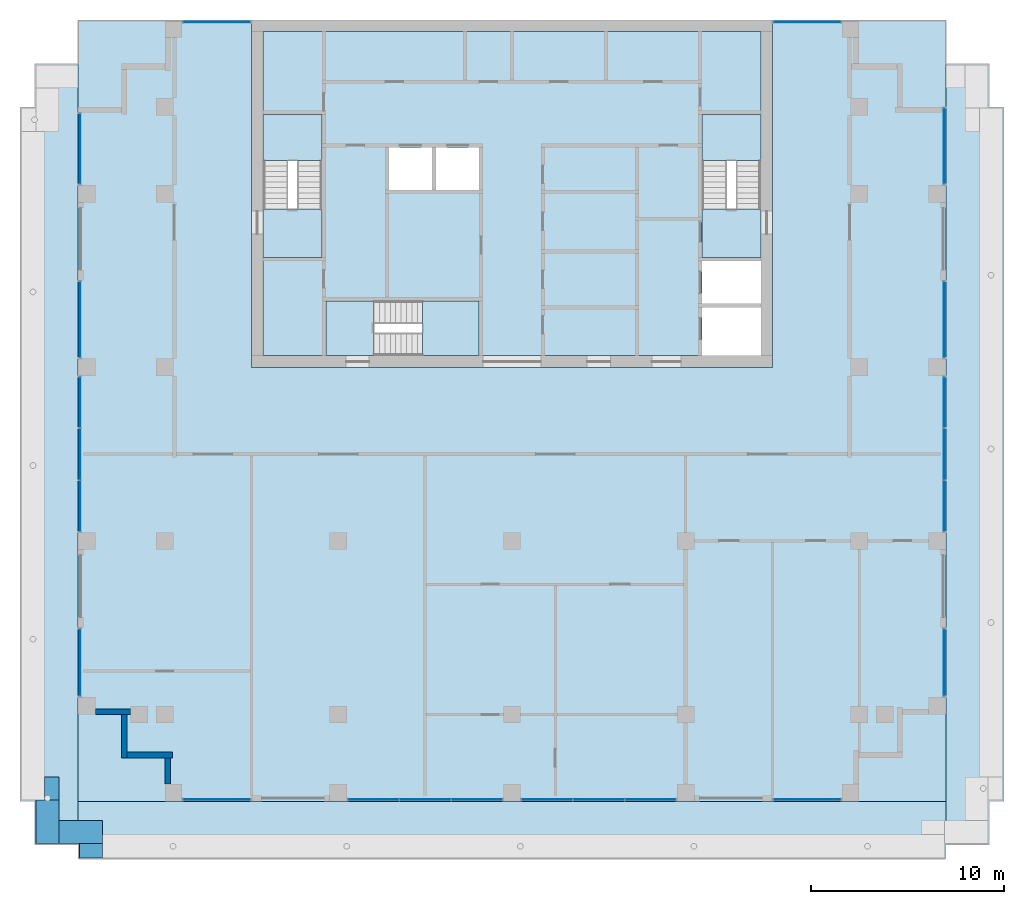
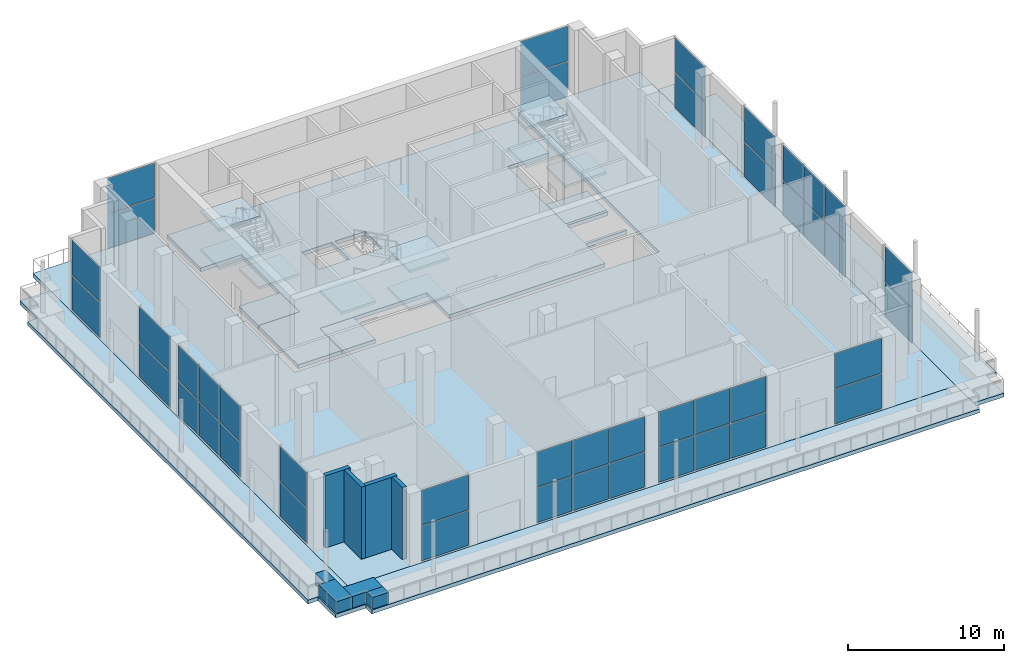
# One storey, part 6 of 13: 44 plates, 17 slabs, 8 walls, 17 elements without a shape of their own.
"""IFC4 building model written with IfcOpenShell, lengths in metres."""

from ifc_helpers import new_model, si_unit, direction, frame, frame_2d, origin, origin_2d, place, context, subcontext, project, spatial, polyline, rectangle, outline, extrude, material, layer, layer_set, type_object, element, aggregate, save


model = new_model("IFC4")

# Units and contexts
model_context = context("Model", 3, precision=1e-05, world=origin(), true_north=direction((0.0, 1.0)))
body_context = subcontext(model_context, "Body", "Model", "MODEL_VIEW")
ifc_project = project(units=[si_unit("LENGTHUNIT", "METRE"), si_unit("AREAUNIT", "SQUARE_METRE"), si_unit("VOLUMEUNIT", "CUBIC_METRE"), si_unit("PLANEANGLEUNIT", "RADIAN"), si_unit("MASSUNIT", "GRAM", prefix="KILO")], contexts=[model_context])

# Site, building, storey
site_placement = place(None, origin())
site = spatial("IfcSite", under=ifc_project, at=site_placement, CompositionType="ELEMENT")
building_placement = place(site_placement, origin())
building = spatial("IfcBuilding", under=site, at=building_placement, Name="Orbiselva Terraces", CompositionType="ELEMENT")
storey_placement = place(building_placement, frame((0.0, 0.0, 297.4)))
storey = spatial("IfcBuildingStorey", under=building, at=storey_placement, Name="L74", CompositionType="ELEMENT", Elevation=297.4)

# Slabs
ifc_material_1 = material(Name="Concrete C40/50", Category="concrete")
ifc_layer_1 = layer(ifc_material_1, 0.3)
ifc_layer_set_1 = layer_set([ifc_layer_1], Name="Concrete C40/50")
slab_type_1 = type_object("IfcSlabType", Name="CORE-SLAB-FLOOR-300", PredefinedType="FLOOR", material=ifc_layer_set_1)
slab_1_placement = place(storey_placement, frame((0.0, 0.0, -0.3)))
element("IfcSlab", 1, at=slab_1_placement, inside=storey, type_object=slab_type_1, Name="L74 S1 floor landing", PredefinedType="FLOOR", context=body_context, shape_type="SweptSolid", body=[
    extrude(outline(polyline([(-12.9, 12.7), (-9.85, 12.7), (-9.85, 10.2), (-12.9, 10.2), (-12.9, 12.7)])), origin(), (0.0, 0.0, 1.0), 0.3),
])
slab_2_placement = place(storey_placement, frame((0.0, 0.0, -0.3)))
element("IfcSlab", 2, at=slab_2_placement, inside=storey, type_object=slab_type_1, Name="L74 S2 floor landing", PredefinedType="FLOOR", context=body_context, shape_type="SweptSolid", body=[
    extrude(outline(polyline([(12.9, 12.7), (12.9, 10.2), (9.85, 10.2), (9.85, 12.7), (12.9, 12.7)])), origin(), (0.0, 0.0, 1.0), 0.3),
])
slab_3_placement = place(storey_placement, frame((0.0, 0.0, -0.3)))
element("IfcSlab", 3, at=slab_3_placement, inside=storey, type_object=slab_type_1, Name="L74 S3 floor landing", PredefinedType="FLOOR", context=body_context, shape_type="SweptSolid", body=[
    extrude(outline(polyline([(-7.15, 5.1), (-9.65, 5.1), (-9.65, 7.95), (-7.15, 7.95), (-7.15, 5.1)])), origin(), (0.0, 0.0, 1.0), 0.3),
])
slab_4_placement = place(storey_placement, frame((0.0, 0.0, -0.3)))
element("IfcSlab", 4, at=slab_4_placement, inside=storey, type_object=slab_type_1, Name="L74 core floor slab 1", PredefinedType="FLOOR", context=body_context, shape_type="SweptSolid", body=[
    extrude(outline(polyline([(-1.7, 5.1), (-1.7, 7.95), (-9.65, 7.95), (-9.65, 5.1), (-12.9, 5.1), (-12.9, 10.2), (-9.85, 10.2), (-9.85, 17.6), (-12.9, 17.6), (-12.9, 21.9), (12.9, 21.9), (12.9, 17.6), (9.85, 17.6), (9.85, 10.2), (12.9, 10.2), (12.9, 10.0), (9.85, 10.0), (9.85, 7.8), (12.9, 7.8), (12.9, 7.6), (9.85, 7.6), (9.85, 5.1), (-1.7, 5.1)]), holes=[polyline([(-4.1375, 15.9), (-6.375, 15.9), (-6.375, 13.7), (-4.1375, 13.7), (-4.1375, 15.9)]), polyline([(-1.7, 15.9), (-3.9375, 15.9), (-3.9375, 13.7), (-1.7, 13.7), (-1.7, 15.9)])]), origin(), (0.0, 0.0, 1.0), 0.3),
])

# Stair, slabs
stair_type_1 = type_object("IfcStairType", Name="CORE-STAIR-1300", PredefinedType="HALF_TURN_STAIR", material=ifc_material_1)
stair_1_placement = place(storey_placement, origin())
stair_1 = element("IfcStair", 5, at=stair_1_placement, inside=storey, type_object=stair_type_1, Name="L74 Exit Stair S1", PredefinedType="HALF_TURN_STAIR")
ifc_layer_2 = layer(ifc_material_1, 0.2)
ifc_layer_set_2 = layer_set([ifc_layer_2], Name="Concrete C40/50")
slab_type_2 = type_object("IfcSlabType", Name="CORE-STAIR-LANDING-200", PredefinedType="LANDING", material=ifc_layer_set_2)
slab_5_placement = place(storey_placement, frame((0.0, 0.0, 1.3)))
slab_5 = element("IfcSlab", 6, at=slab_5_placement, type_object=slab_type_2, Name="S1 landing 1", PredefinedType="LANDING", context=body_context, shape_type="SweptSolid", body=[
    extrude(outline(polyline([(-9.85, 15.22), (-9.85, 17.6), (-12.9, 17.6), (-12.9, 15.22), (-9.85, 15.22)])), origin(), (0.0, 0.0, 1.0), 0.2),
])
slab_6_placement = place(storey_placement, frame((0.0, 0.0, 2.8)))
slab_6 = element("IfcSlab", 7, at=slab_6_placement, type_object=slab_type_2, Name="S1 landing 2", PredefinedType="LANDING", context=body_context, shape_type="SweptSolid", body=[
    extrude(outline(polyline([(-9.85, 10.2), (-9.85, 12.7), (-12.9, 12.7), (-12.9, 10.2), (-9.85, 10.2)])), origin(), (0.0, 0.0, 1.0), 0.2),
])
slab_7_placement = place(storey_placement, frame((0.0, 0.0, 4.3)))
slab_7 = element("IfcSlab", 8, at=slab_7_placement, type_object=slab_type_2, Name="S1 landing 3", PredefinedType="LANDING", context=body_context, shape_type="SweptSolid", body=[
    extrude(outline(polyline([(-9.85, 15.22), (-9.85, 17.6), (-12.9, 17.6), (-12.9, 15.22), (-9.85, 15.22)])), origin(), (0.0, 0.0, 1.0), 0.2),
])
aggregate(stair_1, [slab_5, slab_6, slab_7])

stair_2_placement = place(storey_placement, origin())
stair_2 = element("IfcStair", 9, at=stair_2_placement, inside=storey, type_object=stair_type_1, Name="L74 Exit Stair S2", PredefinedType="HALF_TURN_STAIR")
slab_8_placement = place(storey_placement, frame((0.0, 0.0, 1.3)))
slab_8 = element("IfcSlab", 10, at=slab_8_placement, type_object=slab_type_2, Name="S2 landing 1", PredefinedType="LANDING", context=body_context, shape_type="SweptSolid", body=[
    extrude(outline(polyline([(12.9, 15.22), (12.9, 17.6), (9.85, 17.6), (9.85, 15.22), (12.9, 15.22)])), origin(), (0.0, 0.0, 1.0), 0.2),
])
slab_9_placement = place(storey_placement, frame((0.0, 0.0, 2.8)))
slab_9 = element("IfcSlab", 11, at=slab_9_placement, type_object=slab_type_2, Name="S2 landing 2", PredefinedType="LANDING", context=body_context, shape_type="SweptSolid", body=[
    extrude(outline(polyline([(12.9, 10.2), (12.9, 12.7), (9.85, 12.7), (9.85, 10.2), (12.9, 10.2)])), origin(), (0.0, 0.0, 1.0), 0.2),
])
slab_10_placement = place(storey_placement, frame((0.0, 0.0, 4.3)))
slab_10 = element("IfcSlab", 12, at=slab_10_placement, type_object=slab_type_2, Name="S2 landing 3", PredefinedType="LANDING", context=body_context, shape_type="SweptSolid", body=[
    extrude(outline(polyline([(12.9, 15.22), (12.9, 17.6), (9.85, 17.6), (9.85, 15.22), (12.9, 15.22)])), origin(), (0.0, 0.0, 1.0), 0.2),
])
aggregate(stair_2, [slab_8, slab_9, slab_10])

stair_type_2 = type_object("IfcStairType", Name="CORE-STAIR-1200", PredefinedType="HALF_TURN_STAIR", material=ifc_material_1)
stair_3_placement = place(storey_placement, origin())
stair_3 = element("IfcStair", 13, at=stair_3_placement, inside=storey, type_object=stair_type_2, Name="L74 Exit Stair S3", PredefinedType="HALF_TURN_STAIR")
slab_11_placement = place(storey_placement, frame((0.0, 0.0, 1.3)))
slab_11 = element("IfcSlab", 14, at=slab_11_placement, type_object=slab_type_2, Name="S3 landing 1", PredefinedType="LANDING", context=body_context, shape_type="SweptSolid", body=[
    extrude(outline(polyline([(-4.63, 5.1), (-1.7, 5.1), (-1.7, 7.95), (-4.63, 7.95), (-4.63, 5.1)])), origin(), (0.0, 0.0, 1.0), 0.2),
])
slab_12_placement = place(storey_placement, frame((0.0, 0.0, 2.8)))
slab_12 = element("IfcSlab", 15, at=slab_12_placement, type_object=slab_type_2, Name="S3 landing 2", PredefinedType="LANDING", context=body_context, shape_type="SweptSolid", body=[
    extrude(outline(polyline([(-9.65, 5.1), (-7.15, 5.1), (-7.15, 7.95), (-9.65, 7.95), (-9.65, 5.1)])), origin(), (0.0, 0.0, 1.0), 0.2),
])
slab_13_placement = place(storey_placement, frame((0.0, 0.0, 4.3)))
slab_13 = element("IfcSlab", 16, at=slab_13_placement, type_object=slab_type_2, Name="S3 landing 3", PredefinedType="LANDING", context=body_context, shape_type="SweptSolid", body=[
    extrude(outline(polyline([(-4.63, 5.1), (-1.7, 5.1), (-1.7, 7.95), (-4.63, 7.95), (-4.63, 5.1)])), origin(), (0.0, 0.0, 1.0), 0.2),
])
aggregate(stair_3, [slab_11, slab_12, slab_13])

# Curtain wall, plates
ifc_material_2 = material(Name="Clear low-e glazing in aluminium frame", Category="aluminium")
curtain_wall_type = type_object("IfcCurtainWallType", Name="ENV-CW-OBS", PredefinedType="NOTDEFINED", material=ifc_material_2)
curtain_wall_1_placement = place(storey_placement, origin())
curtain_wall_1 = element("IfcCurtainWall", 17, at=curtain_wall_1_placement, inside=storey, type_object=curtain_wall_type, Name="Curtain wall L74 S", PredefinedType="NOTDEFINED")
ifc_material_3 = material(Name="Clear low-e glass", Category="glass")
ifc_layer_3 = layer(ifc_material_3, 0.028)
ifc_layer_set_3 = layer_set([ifc_layer_3], Name="Clear low-e glass")
plate_type = type_object("IfcPlateType", Name="ENV-CW-OBS-PANEL-28", PredefinedType="CURTAIN_PANEL", material=ifc_layer_set_3)
plate_1_placement = place(storey_placement, frame((-15.3, -17.9, 0.065), z_axis=(0.0, 0.0, 1.0), x_axis=(1.0, 0.0, 0.0)))
plate_1 = element("IfcPlate", 18, at=plate_1_placement, type_object=plate_type, Name="CW5 panel 1.1", PredefinedType="CURTAIN_PANEL", context=body_context, shape_type="SweptSolid", body=[
    extrude(rectangle(XDim=3.47, YDim=0.028, at=origin_2d()), origin(), (0.0, 0.0, 1.0), 2.7275),
])
plate_2_placement = place(storey_placement, frame((-15.3, -17.9, 2.8575), z_axis=(0.0, 0.0, 1.0), x_axis=(1.0, 0.0, 0.0)))
plate_2 = element("IfcPlate", 19, at=plate_2_placement, type_object=plate_type, Name="CW5 panel 1.2", PredefinedType="CURTAIN_PANEL", context=body_context, shape_type="SweptSolid", body=[
    extrude(rectangle(XDim=3.47, YDim=0.028, at=origin_2d()), origin(), (0.0, 0.0, 1.0), 2.7275),
])
aggregate(curtain_wall_1, [plate_1, plate_2])

curtain_wall_2_placement = place(storey_placement, origin())
curtain_wall_2 = element("IfcCurtainWall", 20, at=curtain_wall_2_placement, inside=storey, type_object=curtain_wall_type, Name="Curtain wall L74 S", PredefinedType="NOTDEFINED")
plate_3_placement = place(storey_placement, frame((-7.18375, -17.9, 0.065), z_axis=(0.0, 0.0, 1.0), x_axis=(1.0, 0.0, 0.0)))
plate_3 = element("IfcPlate", 21, at=plate_3_placement, type_object=plate_type, Name="CW5 panel 1.1", PredefinedType="CURTAIN_PANEL", context=body_context, shape_type="SweptSolid", body=[
    extrude(rectangle(XDim=2.6025, YDim=0.028, at=origin_2d()), origin(), (0.0, 0.0, 1.0), 2.7275),
])
plate_4_placement = place(storey_placement, frame((-7.18375, -17.9, 2.8575), z_axis=(0.0, 0.0, 1.0), x_axis=(1.0, 0.0, 0.0)))
plate_4 = element("IfcPlate", 22, at=plate_4_placement, type_object=plate_type, Name="CW5 panel 1.2", PredefinedType="CURTAIN_PANEL", context=body_context, shape_type="SweptSolid", body=[
    extrude(rectangle(XDim=2.6025, YDim=0.028, at=origin_2d()), origin(), (0.0, 0.0, 1.0), 2.7275),
])
plate_5_placement = place(storey_placement, frame((-4.5, -17.9, 0.065), z_axis=(0.0, 0.0, 1.0), x_axis=(1.0, 0.0, 0.0)))
plate_5 = element("IfcPlate", 23, at=plate_5_placement, type_object=plate_type, Name="CW5 panel 2.1", PredefinedType="CURTAIN_PANEL", context=body_context, shape_type="SweptSolid", body=[
    extrude(rectangle(XDim=2.635, YDim=0.028, at=origin_2d()), origin(), (0.0, 0.0, 1.0), 2.7275),
])
plate_6_placement = place(storey_placement, frame((-4.5, -17.9, 2.8575), z_axis=(0.0, 0.0, 1.0), x_axis=(1.0, 0.0, 0.0)))
plate_6 = element("IfcPlate", 24, at=plate_6_placement, type_object=plate_type, Name="CW5 panel 2.2", PredefinedType="CURTAIN_PANEL", context=body_context, shape_type="SweptSolid", body=[
    extrude(rectangle(XDim=2.635, YDim=0.028, at=origin_2d()), origin(), (0.0, 0.0, 1.0), 2.7275),
])
plate_7_placement = place(storey_placement, frame((-1.81625, -17.9, 0.065), z_axis=(0.0, 0.0, 1.0), x_axis=(1.0, 0.0, 0.0)))
plate_7 = element("IfcPlate", 25, at=plate_7_placement, type_object=plate_type, Name="CW5 panel 3.1", PredefinedType="CURTAIN_PANEL", context=body_context, shape_type="SweptSolid", body=[
    extrude(rectangle(XDim=2.6025, YDim=0.028, at=origin_2d()), origin(), (0.0, 0.0, 1.0), 2.7275),
])
plate_8_placement = place(storey_placement, frame((-1.81625, -17.9, 2.8575), z_axis=(0.0, 0.0, 1.0), x_axis=(1.0, 0.0, 0.0)))
plate_8 = element("IfcPlate", 26, at=plate_8_placement, type_object=plate_type, Name="CW5 panel 3.2", PredefinedType="CURTAIN_PANEL", context=body_context, shape_type="SweptSolid", body=[
    extrude(rectangle(XDim=2.6025, YDim=0.028, at=origin_2d()), origin(), (0.0, 0.0, 1.0), 2.7275),
])
aggregate(curtain_wall_2, [plate_3, plate_4, plate_5, plate_6, plate_7, plate_8])

curtain_wall_3_placement = place(storey_placement, origin())
curtain_wall_3 = element("IfcCurtainWall", 27, at=curtain_wall_3_placement, inside=storey, type_object=curtain_wall_type, Name="Curtain wall L74 S", PredefinedType="NOTDEFINED")
plate_9_placement = place(storey_placement, frame((1.81625, -17.9, 0.065), z_axis=(0.0, 0.0, 1.0), x_axis=(1.0, 0.0, 0.0)))
plate_9 = element("IfcPlate", 28, at=plate_9_placement, type_object=plate_type, Name="CW5 panel 1.1", PredefinedType="CURTAIN_PANEL", context=body_context, shape_type="SweptSolid", body=[
    extrude(rectangle(XDim=2.6025, YDim=0.028, at=origin_2d()), origin(), (0.0, 0.0, 1.0), 2.7275),
])
plate_10_placement = place(storey_placement, frame((1.81625, -17.9, 2.8575), z_axis=(0.0, 0.0, 1.0), x_axis=(1.0, 0.0, 0.0)))
plate_10 = element("IfcPlate", 29, at=plate_10_placement, type_object=plate_type, Name="CW5 panel 1.2", PredefinedType="CURTAIN_PANEL", context=body_context, shape_type="SweptSolid", body=[
    extrude(rectangle(XDim=2.6025, YDim=0.028, at=origin_2d()), origin(), (0.0, 0.0, 1.0), 2.7275),
])
plate_11_placement = place(storey_placement, frame((4.5, -17.9, 0.065), z_axis=(0.0, 0.0, 1.0), x_axis=(1.0, 0.0, 0.0)))
plate_11 = element("IfcPlate", 30, at=plate_11_placement, type_object=plate_type, Name="CW5 panel 2.1", PredefinedType="CURTAIN_PANEL", context=body_context, shape_type="SweptSolid", body=[
    extrude(rectangle(XDim=2.635, YDim=0.028, at=origin_2d()), origin(), (0.0, 0.0, 1.0), 2.7275),
])
plate_12_placement = place(storey_placement, frame((4.5, -17.9, 2.8575), z_axis=(0.0, 0.0, 1.0), x_axis=(1.0, 0.0, 0.0)))
plate_12 = element("IfcPlate", 31, at=plate_12_placement, type_object=plate_type, Name="CW5 panel 2.2", PredefinedType="CURTAIN_PANEL", context=body_context, shape_type="SweptSolid", body=[
    extrude(rectangle(XDim=2.635, YDim=0.028, at=origin_2d()), origin(), (0.0, 0.0, 1.0), 2.7275),
])
plate_13_placement = place(storey_placement, frame((7.18375, -17.9, 0.065), z_axis=(0.0, 0.0, 1.0), x_axis=(1.0, 0.0, 0.0)))
plate_13 = element("IfcPlate", 32, at=plate_13_placement, type_object=plate_type, Name="CW5 panel 3.1", PredefinedType="CURTAIN_PANEL", context=body_context, shape_type="SweptSolid", body=[
    extrude(rectangle(XDim=2.6025, YDim=0.028, at=origin_2d()), origin(), (0.0, 0.0, 1.0), 2.7275),
])
plate_14_placement = place(storey_placement, frame((7.18375, -17.9, 2.8575), z_axis=(0.0, 0.0, 1.0), x_axis=(1.0, 0.0, 0.0)))
plate_14 = element("IfcPlate", 33, at=plate_14_placement, type_object=plate_type, Name="CW5 panel 3.2", PredefinedType="CURTAIN_PANEL", context=body_context, shape_type="SweptSolid", body=[
    extrude(rectangle(XDim=2.6025, YDim=0.028, at=origin_2d()), origin(), (0.0, 0.0, 1.0), 2.7275),
])
aggregate(curtain_wall_3, [plate_9, plate_10, plate_11, plate_12, plate_13, plate_14])

curtain_wall_4_placement = place(storey_placement, origin())
curtain_wall_4 = element("IfcCurtainWall", 34, at=curtain_wall_4_placement, inside=storey, type_object=curtain_wall_type, Name="Curtain wall L74 S", PredefinedType="NOTDEFINED")
plate_15_placement = place(storey_placement, frame((15.3, -17.9, 0.065), z_axis=(0.0, 0.0, 1.0), x_axis=(1.0, 0.0, 0.0)))
plate_15 = element("IfcPlate", 35, at=plate_15_placement, type_object=plate_type, Name="CW5 panel 1.1", PredefinedType="CURTAIN_PANEL", context=body_context, shape_type="SweptSolid", body=[
    extrude(rectangle(XDim=3.47, YDim=0.028, at=origin_2d()), origin(), (0.0, 0.0, 1.0), 2.7275),
])
plate_16_placement = place(storey_placement, frame((15.3, -17.9, 2.8575), z_axis=(0.0, 0.0, 1.0), x_axis=(1.0, 0.0, 0.0)))
plate_16 = element("IfcPlate", 36, at=plate_16_placement, type_object=plate_type, Name="CW5 panel 1.2", PredefinedType="CURTAIN_PANEL", context=body_context, shape_type="SweptSolid", body=[
    extrude(rectangle(XDim=3.47, YDim=0.028, at=origin_2d()), origin(), (0.0, 0.0, 1.0), 2.7275),
])
aggregate(curtain_wall_4, [plate_15, plate_16])

curtain_wall_5_placement = place(storey_placement, origin())
curtain_wall_5 = element("IfcCurtainWall", 37, at=curtain_wall_5_placement, inside=storey, type_object=curtain_wall_type, Name="Curtain wall L74 E", PredefinedType="NOTDEFINED")
plate_17_placement = place(storey_placement, frame((22.4, -10.8, 0.065), z_axis=(0.0, 0.0, 1.0), x_axis=(0.0, 1.0, 0.0)))
plate_17 = element("IfcPlate", 38, at=plate_17_placement, type_object=plate_type, Name="CW5 panel 1.1", PredefinedType="CURTAIN_PANEL", context=body_context, shape_type="SweptSolid", body=[
    extrude(rectangle(XDim=3.47, YDim=0.028, at=origin_2d()), origin(), (0.0, 0.0, 1.0), 2.7275),
])
plate_18_placement = place(storey_placement, frame((22.4, -10.8, 2.8575), z_axis=(0.0, 0.0, 1.0), x_axis=(0.0, 1.0, 0.0)))
plate_18 = element("IfcPlate", 39, at=plate_18_placement, type_object=plate_type, Name="CW5 panel 1.2", PredefinedType="CURTAIN_PANEL", context=body_context, shape_type="SweptSolid", body=[
    extrude(rectangle(XDim=3.47, YDim=0.028, at=origin_2d()), origin(), (0.0, 0.0, 1.0), 2.7275),
])
aggregate(curtain_wall_5, [plate_17, plate_18])

curtain_wall_6_placement = place(storey_placement, origin())
curtain_wall_6 = element("IfcCurtainWall", 40, at=curtain_wall_6_placement, inside=storey, type_object=curtain_wall_type, Name="Curtain wall L74 E", PredefinedType="NOTDEFINED")
plate_19_placement = place(storey_placement, frame((22.4, -2.68375, 0.065), z_axis=(0.0, 0.0, 1.0), x_axis=(0.0, 1.0, 0.0)))
plate_19 = element("IfcPlate", 41, at=plate_19_placement, type_object=plate_type, Name="CW5 panel 1.1", PredefinedType="CURTAIN_PANEL", context=body_context, shape_type="SweptSolid", body=[
    extrude(rectangle(XDim=2.6025, YDim=0.028, at=origin_2d()), origin(), (0.0, 0.0, 1.0), 2.7275),
])
plate_20_placement = place(storey_placement, frame((22.4, -2.68375, 2.8575), z_axis=(0.0, 0.0, 1.0), x_axis=(0.0, 1.0, 0.0)))
plate_20 = element("IfcPlate", 42, at=plate_20_placement, type_object=plate_type, Name="CW5 panel 1.2", PredefinedType="CURTAIN_PANEL", context=body_context, shape_type="SweptSolid", body=[
    extrude(rectangle(XDim=2.6025, YDim=0.028, at=origin_2d()), origin(), (0.0, 0.0, 1.0), 2.7275),
])
plate_21_placement = place(storey_placement, frame((22.4, 0.0, 0.065), z_axis=(0.0, 0.0, 1.0), x_axis=(0.0, 1.0, 0.0)))
plate_21 = element("IfcPlate", 43, at=plate_21_placement, type_object=plate_type, Name="CW5 panel 2.1", PredefinedType="CURTAIN_PANEL", context=body_context, shape_type="SweptSolid", body=[
    extrude(rectangle(XDim=2.635, YDim=0.028, at=origin_2d()), origin(), (0.0, 0.0, 1.0), 2.7275),
])
plate_22_placement = place(storey_placement, frame((22.4, 0.0, 2.8575), z_axis=(0.0, 0.0, 1.0), x_axis=(0.0, 1.0, 0.0)))
plate_22 = element("IfcPlate", 44, at=plate_22_placement, type_object=plate_type, Name="CW5 panel 2.2", PredefinedType="CURTAIN_PANEL", context=body_context, shape_type="SweptSolid", body=[
    extrude(rectangle(XDim=2.635, YDim=0.028, at=origin_2d()), origin(), (0.0, 0.0, 1.0), 2.7275),
])
plate_23_placement = place(storey_placement, frame((22.4, 2.68375, 0.065), z_axis=(0.0, 0.0, 1.0), x_axis=(0.0, 1.0, 0.0)))
plate_23 = element("IfcPlate", 45, at=plate_23_placement, type_object=plate_type, Name="CW5 panel 3.1", PredefinedType="CURTAIN_PANEL", context=body_context, shape_type="SweptSolid", body=[
    extrude(rectangle(XDim=2.6025, YDim=0.028, at=origin_2d()), origin(), (0.0, 0.0, 1.0), 2.7275),
])
plate_24_placement = place(storey_placement, frame((22.4, 2.68375, 2.8575), z_axis=(0.0, 0.0, 1.0), x_axis=(0.0, 1.0, 0.0)))
plate_24 = element("IfcPlate", 46, at=plate_24_placement, type_object=plate_type, Name="CW5 panel 3.2", PredefinedType="CURTAIN_PANEL", context=body_context, shape_type="SweptSolid", body=[
    extrude(rectangle(XDim=2.6025, YDim=0.028, at=origin_2d()), origin(), (0.0, 0.0, 1.0), 2.7275),
])
aggregate(curtain_wall_6, [plate_19, plate_20, plate_21, plate_22, plate_23, plate_24])

curtain_wall_7_placement = place(storey_placement, origin())
curtain_wall_7 = element("IfcCurtainWall", 47, at=curtain_wall_7_placement, inside=storey, type_object=curtain_wall_type, Name="Curtain wall L74 E", PredefinedType="NOTDEFINED")
plate_25_placement = place(storey_placement, frame((22.4, 6.975, 0.065), z_axis=(0.0, 0.0, 1.0), x_axis=(0.0, 1.0, 0.0)))
plate_25 = element("IfcPlate", 48, at=plate_25_placement, type_object=plate_type, Name="CW5 panel 1.1", PredefinedType="CURTAIN_PANEL", context=body_context, shape_type="SweptSolid", body=[
    extrude(rectangle(XDim=3.92, YDim=0.028, at=origin_2d()), origin(), (0.0, 0.0, 1.0), 2.7275),
])
plate_26_placement = place(storey_placement, frame((22.4, 6.975, 2.8575), z_axis=(0.0, 0.0, 1.0), x_axis=(0.0, 1.0, 0.0)))
plate_26 = element("IfcPlate", 49, at=plate_26_placement, type_object=plate_type, Name="CW5 panel 1.2", PredefinedType="CURTAIN_PANEL", context=body_context, shape_type="SweptSolid", body=[
    extrude(rectangle(XDim=3.92, YDim=0.028, at=origin_2d()), origin(), (0.0, 0.0, 1.0), 2.7275),
])
aggregate(curtain_wall_7, [plate_25, plate_26])

curtain_wall_8_placement = place(storey_placement, origin())
curtain_wall_8 = element("IfcCurtainWall", 50, at=curtain_wall_8_placement, inside=storey, type_object=curtain_wall_type, Name="Curtain wall L74 E", PredefinedType="NOTDEFINED")
plate_27_placement = place(storey_placement, frame((22.4, 15.975, 0.065), z_axis=(0.0, 0.0, 1.0), x_axis=(0.0, 1.0, 0.0)))
plate_27 = element("IfcPlate", 51, at=plate_27_placement, type_object=plate_type, Name="CW5 panel 1.1", PredefinedType="CURTAIN_PANEL", context=body_context, shape_type="SweptSolid", body=[
    extrude(rectangle(XDim=3.92, YDim=0.028, at=origin_2d()), origin(), (0.0, 0.0, 1.0), 2.7275),
])
plate_28_placement = place(storey_placement, frame((22.4, 15.975, 2.8575), z_axis=(0.0, 0.0, 1.0), x_axis=(0.0, 1.0, 0.0)))
plate_28 = element("IfcPlate", 52, at=plate_28_placement, type_object=plate_type, Name="CW5 panel 1.2", PredefinedType="CURTAIN_PANEL", context=body_context, shape_type="SweptSolid", body=[
    extrude(rectangle(XDim=3.92, YDim=0.028, at=origin_2d()), origin(), (0.0, 0.0, 1.0), 2.7275),
])
aggregate(curtain_wall_8, [plate_27, plate_28])

curtain_wall_9_placement = place(storey_placement, origin())
curtain_wall_9 = element("IfcCurtainWall", 53, at=curtain_wall_9_placement, inside=storey, type_object=curtain_wall_type, Name="Curtain wall L74 NE", PredefinedType="NOTDEFINED")
plate_29_placement = place(storey_placement, frame((15.3, 22.4, 0.065), z_axis=(0.0, 0.0, 1.0), x_axis=(-1.0, 0.0, 0.0)))
plate_29 = element("IfcPlate", 54, at=plate_29_placement, type_object=plate_type, Name="CW5 panel 1.1", PredefinedType="CURTAIN_PANEL", context=body_context, shape_type="SweptSolid", body=[
    extrude(rectangle(XDim=3.47, YDim=0.028, at=origin_2d()), origin(), (0.0, 0.0, 1.0), 2.7275),
])
plate_30_placement = place(storey_placement, frame((15.3, 22.4, 2.8575), z_axis=(0.0, 0.0, 1.0), x_axis=(-1.0, 0.0, 0.0)))
plate_30 = element("IfcPlate", 55, at=plate_30_placement, type_object=plate_type, Name="CW5 panel 1.2", PredefinedType="CURTAIN_PANEL", context=body_context, shape_type="SweptSolid", body=[
    extrude(rectangle(XDim=3.47, YDim=0.028, at=origin_2d()), origin(), (0.0, 0.0, 1.0), 2.7275),
])
aggregate(curtain_wall_9, [plate_29, plate_30])

curtain_wall_10_placement = place(storey_placement, origin())
curtain_wall_10 = element("IfcCurtainWall", 56, at=curtain_wall_10_placement, inside=storey, type_object=curtain_wall_type, Name="Curtain wall L74 NW", PredefinedType="NOTDEFINED")
plate_31_placement = place(storey_placement, frame((-15.3, 22.4, 0.065), z_axis=(0.0, 0.0, 1.0), x_axis=(-1.0, 0.0, 0.0)))
plate_31 = element("IfcPlate", 57, at=plate_31_placement, type_object=plate_type, Name="CW5 panel 1.1", PredefinedType="CURTAIN_PANEL", context=body_context, shape_type="SweptSolid", body=[
    extrude(rectangle(XDim=3.47, YDim=0.028, at=origin_2d()), origin(), (0.0, 0.0, 1.0), 2.7275),
])
plate_32_placement = place(storey_placement, frame((-15.3, 22.4, 2.8575), z_axis=(0.0, 0.0, 1.0), x_axis=(-1.0, 0.0, 0.0)))
plate_32 = element("IfcPlate", 58, at=plate_32_placement, type_object=plate_type, Name="CW5 panel 1.2", PredefinedType="CURTAIN_PANEL", context=body_context, shape_type="SweptSolid", body=[
    extrude(rectangle(XDim=3.47, YDim=0.028, at=origin_2d()), origin(), (0.0, 0.0, 1.0), 2.7275),
])
aggregate(curtain_wall_10, [plate_31, plate_32])

curtain_wall_11_placement = place(storey_placement, origin())
curtain_wall_11 = element("IfcCurtainWall", 59, at=curtain_wall_11_placement, inside=storey, type_object=curtain_wall_type, Name="Curtain wall L74 W", PredefinedType="NOTDEFINED")
plate_33_placement = place(storey_placement, frame((-22.4, 15.825, 0.065), z_axis=(0.0, 0.0, 1.0), x_axis=(0.0, -1.0, 0.0)))
plate_33 = element("IfcPlate", 60, at=plate_33_placement, type_object=plate_type, Name="CW5 panel 1.1", PredefinedType="CURTAIN_PANEL", context=body_context, shape_type="SweptSolid", body=[
    extrude(rectangle(XDim=3.62, YDim=0.028, at=origin_2d()), origin(), (0.0, 0.0, 1.0), 2.7275),
])
plate_34_placement = place(storey_placement, frame((-22.4, 15.825, 2.8575), z_axis=(0.0, 0.0, 1.0), x_axis=(0.0, -1.0, 0.0)))
plate_34 = element("IfcPlate", 61, at=plate_34_placement, type_object=plate_type, Name="CW5 panel 1.2", PredefinedType="CURTAIN_PANEL", context=body_context, shape_type="SweptSolid", body=[
    extrude(rectangle(XDim=3.62, YDim=0.028, at=origin_2d()), origin(), (0.0, 0.0, 1.0), 2.7275),
])
aggregate(curtain_wall_11, [plate_33, plate_34])

curtain_wall_12_placement = place(storey_placement, origin())
curtain_wall_12 = element("IfcCurtainWall", 62, at=curtain_wall_12_placement, inside=storey, type_object=curtain_wall_type, Name="Curtain wall L74 W", PredefinedType="NOTDEFINED")
plate_35_placement = place(storey_placement, frame((-22.4, 6.975, 0.065), z_axis=(0.0, 0.0, 1.0), x_axis=(0.0, -1.0, 0.0)))
plate_35 = element("IfcPlate", 63, at=plate_35_placement, type_object=plate_type, Name="CW5 panel 1.1", PredefinedType="CURTAIN_PANEL", context=body_context, shape_type="SweptSolid", body=[
    extrude(rectangle(XDim=3.92, YDim=0.028, at=origin_2d()), origin(), (0.0, 0.0, 1.0), 2.7275),
])
plate_36_placement = place(storey_placement, frame((-22.4, 6.975, 2.8575), z_axis=(0.0, 0.0, 1.0), x_axis=(0.0, -1.0, 0.0)))
plate_36 = element("IfcPlate", 64, at=plate_36_placement, type_object=plate_type, Name="CW5 panel 1.2", PredefinedType="CURTAIN_PANEL", context=body_context, shape_type="SweptSolid", body=[
    extrude(rectangle(XDim=3.92, YDim=0.028, at=origin_2d()), origin(), (0.0, 0.0, 1.0), 2.7275),
])
aggregate(curtain_wall_12, [plate_35, plate_36])

curtain_wall_13_placement = place(storey_placement, origin())
curtain_wall_13 = element("IfcCurtainWall", 65, at=curtain_wall_13_placement, inside=storey, type_object=curtain_wall_type, Name="Curtain wall L74 W", PredefinedType="NOTDEFINED")
plate_37_placement = place(storey_placement, frame((-22.4, 2.68375, 0.065), z_axis=(0.0, 0.0, 1.0), x_axis=(0.0, -1.0, 0.0)))
plate_37 = element("IfcPlate", 66, at=plate_37_placement, type_object=plate_type, Name="CW5 panel 1.1", PredefinedType="CURTAIN_PANEL", context=body_context, shape_type="SweptSolid", body=[
    extrude(rectangle(XDim=2.6025, YDim=0.028, at=origin_2d()), origin(), (0.0, 0.0, 1.0), 2.7275),
])
plate_38_placement = place(storey_placement, frame((-22.4, 2.68375, 2.8575), z_axis=(0.0, 0.0, 1.0), x_axis=(0.0, -1.0, 0.0)))
plate_38 = element("IfcPlate", 67, at=plate_38_placement, type_object=plate_type, Name="CW5 panel 1.2", PredefinedType="CURTAIN_PANEL", context=body_context, shape_type="SweptSolid", body=[
    extrude(rectangle(XDim=2.6025, YDim=0.028, at=origin_2d()), origin(), (0.0, 0.0, 1.0), 2.7275),
])
plate_39_placement = place(storey_placement, frame((-22.4, 0.0, 0.065), z_axis=(0.0, 0.0, 1.0), x_axis=(0.0, -1.0, 0.0)))
plate_39 = element("IfcPlate", 68, at=plate_39_placement, type_object=plate_type, Name="CW5 panel 2.1", PredefinedType="CURTAIN_PANEL", context=body_context, shape_type="SweptSolid", body=[
    extrude(rectangle(XDim=2.635, YDim=0.028, at=origin_2d()), origin(), (0.0, 0.0, 1.0), 2.7275),
])
plate_40_placement = place(storey_placement, frame((-22.4, 0.0, 2.8575), z_axis=(0.0, 0.0, 1.0), x_axis=(0.0, -1.0, 0.0)))
plate_40 = element("IfcPlate", 69, at=plate_40_placement, type_object=plate_type, Name="CW5 panel 2.2", PredefinedType="CURTAIN_PANEL", context=body_context, shape_type="SweptSolid", body=[
    extrude(rectangle(XDim=2.635, YDim=0.028, at=origin_2d()), origin(), (0.0, 0.0, 1.0), 2.7275),
])
plate_41_placement = place(storey_placement, frame((-22.4, -2.68375, 0.065), z_axis=(0.0, 0.0, 1.0), x_axis=(0.0, -1.0, 0.0)))
plate_41 = element("IfcPlate", 70, at=plate_41_placement, type_object=plate_type, Name="CW5 panel 3.1", PredefinedType="CURTAIN_PANEL", context=body_context, shape_type="SweptSolid", body=[
    extrude(rectangle(XDim=2.6025, YDim=0.028, at=origin_2d()), origin(), (0.0, 0.0, 1.0), 2.7275),
])
plate_42_placement = place(storey_placement, frame((-22.4, -2.68375, 2.8575), z_axis=(0.0, 0.0, 1.0), x_axis=(0.0, -1.0, 0.0)))
plate_42 = element("IfcPlate", 71, at=plate_42_placement, type_object=plate_type, Name="CW5 panel 3.2", PredefinedType="CURTAIN_PANEL", context=body_context, shape_type="SweptSolid", body=[
    extrude(rectangle(XDim=2.6025, YDim=0.028, at=origin_2d()), origin(), (0.0, 0.0, 1.0), 2.7275),
])
aggregate(curtain_wall_13, [plate_37, plate_38, plate_39, plate_40, plate_41, plate_42])

curtain_wall_14_placement = place(storey_placement, origin())
curtain_wall_14 = element("IfcCurtainWall", 72, at=curtain_wall_14_placement, inside=storey, type_object=curtain_wall_type, Name="Curtain wall L74 W", PredefinedType="NOTDEFINED")
plate_43_placement = place(storey_placement, frame((-22.4, -10.8, 0.065), z_axis=(0.0, 0.0, 1.0), x_axis=(0.0, -1.0, 0.0)))
plate_43 = element("IfcPlate", 73, at=plate_43_placement, type_object=plate_type, Name="CW5 panel 1.1", PredefinedType="CURTAIN_PANEL", context=body_context, shape_type="SweptSolid", body=[
    extrude(rectangle(XDim=3.47, YDim=0.028, at=origin_2d()), origin(), (0.0, 0.0, 1.0), 2.7275),
])
plate_44_placement = place(storey_placement, frame((-22.4, -10.8, 2.8575), z_axis=(0.0, 0.0, 1.0), x_axis=(0.0, -1.0, 0.0)))
plate_44 = element("IfcPlate", 74, at=plate_44_placement, type_object=plate_type, Name="CW5 panel 1.2", PredefinedType="CURTAIN_PANEL", context=body_context, shape_type="SweptSolid", body=[
    extrude(rectangle(XDim=3.47, YDim=0.028, at=origin_2d()), origin(), (0.0, 0.0, 1.0), 2.7275),
])
aggregate(curtain_wall_14, [plate_43, plate_44])

# Slabs
ifc_material_4 = material(Name="Concrete C50/60", Category="concrete")
ifc_layer_4 = layer(ifc_material_4, 0.3)
ifc_layer_set_4 = layer_set([ifc_layer_4], Name="Concrete C50/60")
slab_type_3 = type_object("IfcSlabType", Name="FLOOR SLAB 300", PredefinedType="FLOOR", material=ifc_layer_set_4)
slab_14_placement = place(storey_placement, frame((0.0, 0.0, -0.3)))
element("IfcSlab", 75, at=slab_14_placement, inside=storey, type_object=slab_type_3, Name="Floor slab L74", PredefinedType="FLOOR", context=body_context, shape_type="SweptSolid", body=[
    extrude(outline(polyline([(22.5, 22.5), (22.5, -18.0), (-22.5, -18.0), (-22.5, 22.5), (-13.5, 22.5), (-13.5, 4.5), (13.5, 4.5), (13.5, 22.5), (22.5, 22.5)])), origin(), (0.0, 0.0, 1.0), 0.3),
])
ifc_layer_5 = layer(ifc_material_4, 0.3)
ifc_layer_set_5 = layer_set([ifc_layer_5], Name="Concrete C50/60")
slab_type_4 = type_object("IfcSlabType", Name="RING TERRACE SLAB 300", PredefinedType="FLOOR", material=ifc_layer_set_5)
slab_15_placement = place(storey_placement, frame((0.0, 0.0, -0.3)))
element("IfcSlab", 76, at=slab_15_placement, inside=storey, type_object=slab_type_4, Name="Walkway ring terrace slab L74 part 1", PredefinedType="FLOOR", context=body_context, shape_type="SweptSolid", body=[
    extrude(outline(polyline([(-22.5, -20.25), (-22.5, 20.25), (-24.75, 20.25), (-24.75, 18.0), (-25.5, 18.0), (-25.5, -18.0), (-24.75, -18.0), (-24.75, -20.25), (-22.5, -20.25)])), origin(), (0.0, 0.0, 1.0), 0.3),
])
slab_16_placement = place(storey_placement, frame((0.0, 0.0, -0.3)))
element("IfcSlab", 77, at=slab_16_placement, inside=storey, type_object=slab_type_4, Name="Walkway ring terrace slab L74 part 2", PredefinedType="FLOOR", context=body_context, shape_type="SweptSolid", body=[
    extrude(outline(polyline([(24.75, 20.25), (22.5, 20.25), (22.5, -20.25), (24.75, -20.25), (24.75, -18.0), (25.5, -18.0), (25.5, 18.0), (24.75, 18.0), (24.75, 20.25)])), origin(), (0.0, 0.0, 1.0), 0.3),
])
slab_17_placement = place(storey_placement, frame((0.0, 0.0, -0.3)))
element("IfcSlab", 78, at=slab_17_placement, inside=storey, type_object=slab_type_4, Name="Walkway ring terrace slab L74 part 3", PredefinedType="FLOOR", context=body_context, shape_type="SweptSolid", body=[
    extrude(outline(polyline([(22.5, -18.0), (-22.5, -18.0), (-22.5, -21.0), (22.5, -21.0), (22.5, -18.0)])), origin(), (0.0, 0.0, 1.0), 0.3),
])

# Walls
ifc_layer_6 = layer(ifc_material_1, 1.2)
ifc_layer_set_6 = layer_set([ifc_layer_6], Name="Concrete C40/50")
wall_type_1 = type_object("IfcWallType", Name="ENV-GARDEN-BED-1200x900", PredefinedType="USERDEFINED", material=ifc_layer_set_6)
wall_1_placement = place(storey_placement, frame((-24.23, -17.33, 0.0), z_axis=(0.0, 0.0, 1.0), x_axis=(1.0, 0.0, 0.0)))
element("IfcWall", 79, at=wall_1_placement, inside=storey, type_object=wall_type_1, Name="Planter bed L74 ring", ObjectType="PLANTER", PredefinedType="USERDEFINED", context=body_context, shape_type="SweptSolid", body=[
    extrude(rectangle(XDim=0.75, YDim=1.2, at=frame_2d((0.375, 0.0))), origin(), (0.0, 0.0, 1.0), 0.9),
])
for number, where, z_axis, x_axis, name in (
    (80, (-24.08, -17.93, 0.0), (0.0, 0.0, 1.0), (0.0, -1.0, 0.0), "Planter bed L74 ring"),
    (81, (-23.48, -19.58, 0.0), (0.0, 0.0, 1.0), (1.0, 0.0, 0.0), "Planter bed L74 ring"),
):
    element("IfcWall", number, at=place(storey_placement, frame(where, z_axis=z_axis, x_axis=x_axis)), inside=storey, type_object=wall_type_1, Name=name, ObjectType="PLANTER", PredefinedType="USERDEFINED", context=body_context, shape_type="SweptSolid", body=[
        extrude(rectangle(XDim=2.25, YDim=1.2, at=frame_2d((1.125, 0.0))), origin(), (0.0, 0.0, 1.0), 0.9),
    ])
wall_2_placement = place(storey_placement, frame((-21.83, -20.18, 0.0), z_axis=(0.0, 0.0, 1.0), x_axis=(0.0, -1.0, 0.0)))
element("IfcWall", 82, at=wall_2_placement, inside=storey, type_object=wall_type_1, Name="Planter bed L74 ring", ObjectType="PLANTER", PredefinedType="USERDEFINED", context=body_context, shape_type="SweptSolid", body=[
    extrude(rectangle(XDim=0.75, YDim=1.2, at=frame_2d((0.375, 0.0))), origin(), (0.0, 0.0, 1.0), 0.9),
])
ifc_material_5 = material(Name="Terracotta cladding on masonry backing", Category="masonry")
ifc_layer_7 = layer(ifc_material_5, 0.3)
ifc_layer_set_7 = layer_set([ifc_layer_7], Name="Terracotta cladding on masonry backing")
wall_type_2 = type_object("IfcWallType", Name="ENV-WALL-TERRACOTTA-300", PredefinedType="SOLIDWALL", material=ifc_layer_set_7)
wall_3_placement = place(storey_placement, frame((-19.77, -13.35, 0.0), z_axis=(0.0, 0.0, 1.0), x_axis=(-1.0, 0.0, 0.0)))
element("IfcWall", 83, at=wall_3_placement, inside=storey, type_object=wall_type_2, Name="Facade wall L74 STEP", PredefinedType="SOLIDWALL", context=body_context, shape_type="SweptSolid", body=[
    extrude(rectangle(XDim=1.83, YDim=0.3, at=frame_2d((0.915, 0.0))), origin(), (0.0, 0.0, 1.0), 5.65),
])
wall_4_placement = place(storey_placement, frame((-20.1, -15.75, 0.0), z_axis=(0.0, 0.0, 1.0), x_axis=(0.0, 1.0, 0.0)))
element("IfcWall", 84, at=wall_4_placement, inside=storey, type_object=wall_type_2, Name="Facade wall L74 STEP", PredefinedType="SOLIDWALL", context=body_context, shape_type="SweptSolid", body=[
    extrude(rectangle(XDim=2.25, YDim=0.3, at=frame_2d((1.125, 0.0))), origin(), (0.0, 0.0, 1.0), 5.65),
])
wall_5_placement = place(storey_placement, frame((-17.6, -15.6, 0.0), z_axis=(0.0, 0.0, 1.0), x_axis=(-1.0, 0.0, 0.0)))
element("IfcWall", 85, at=wall_5_placement, inside=storey, type_object=wall_type_2, Name="Facade wall L74 STEP", PredefinedType="SOLIDWALL", context=body_context, shape_type="SweptSolid", body=[
    extrude(rectangle(XDim=2.35, YDim=0.3, at=frame_2d((1.175, 0.0))), origin(), (0.0, 0.0, 1.0), 5.65),
])
wall_6_placement = place(storey_placement, frame((-17.85, -17.1, 0.0), z_axis=(0.0, 0.0, 1.0), x_axis=(0.0, 1.0, 0.0)))
element("IfcWall", 86, at=wall_6_placement, inside=storey, type_object=wall_type_2, Name="Facade wall L74 STEP", PredefinedType="SOLIDWALL", context=body_context, shape_type="SweptSolid", body=[
    extrude(rectangle(XDim=1.35, YDim=0.3, at=frame_2d((0.675, 0.0))), origin(), (0.0, 0.0, 1.0), 5.65),
])

save(model, "model.ifc")
